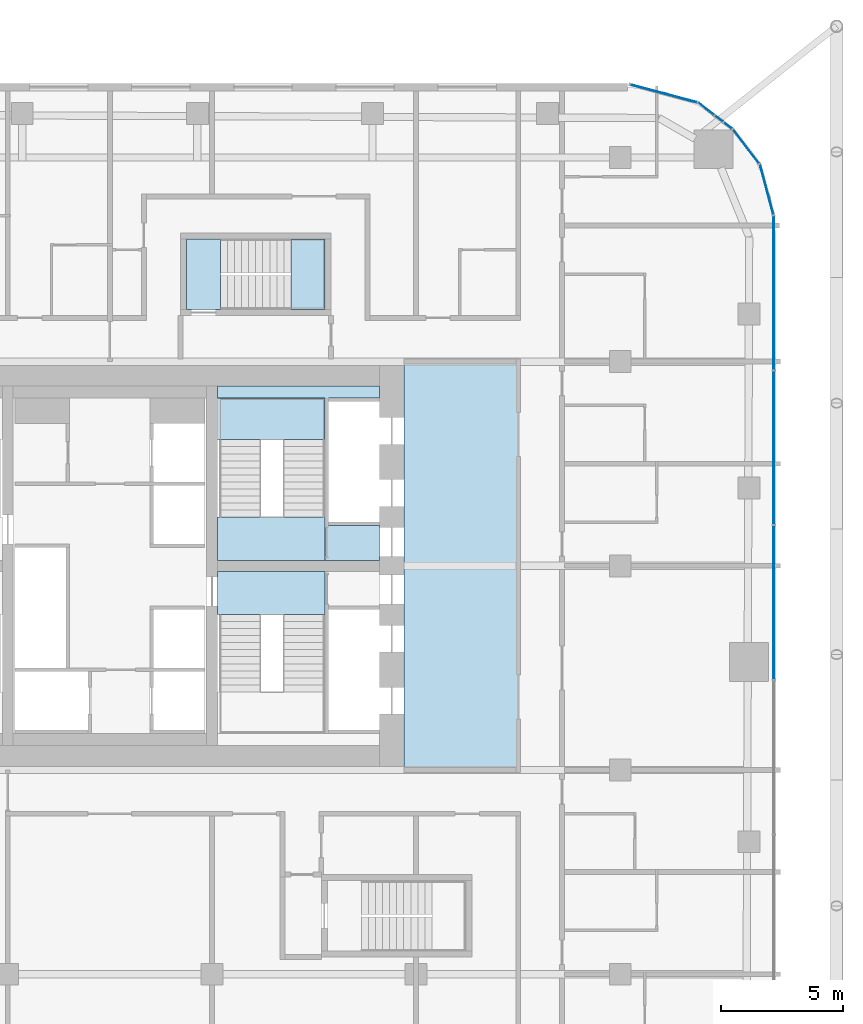
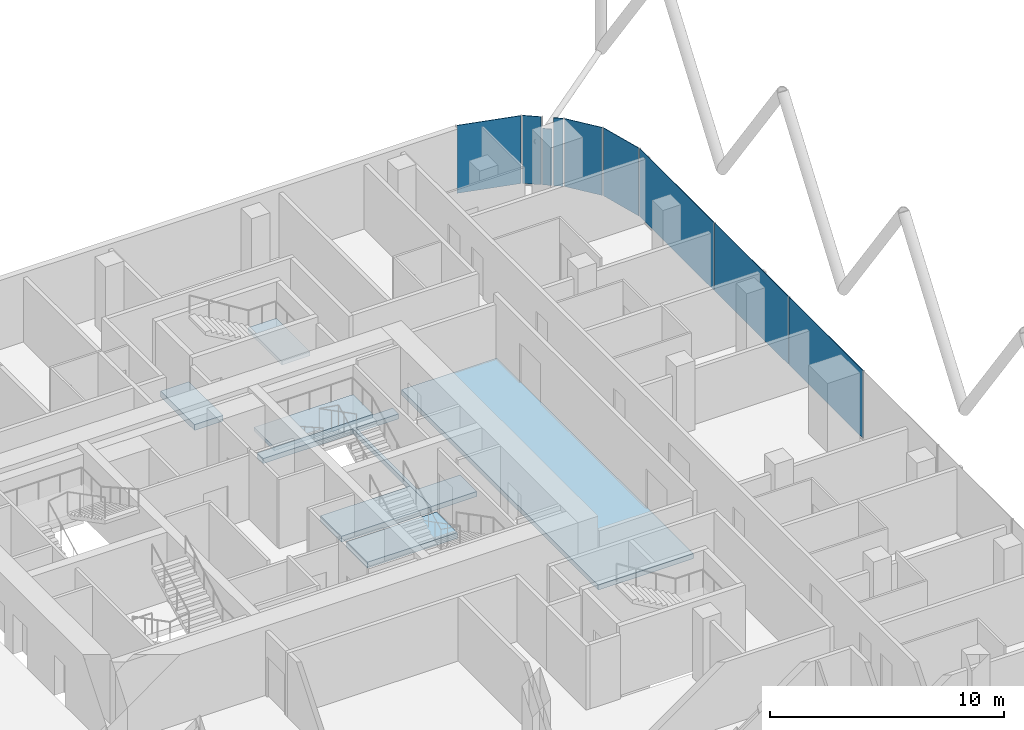
# One storey, part 23 of 33: 9 plates, 7 slabs, 9 elements without a shape of their own.
"""IFC4 building model written with IfcOpenShell, lengths in metres."""

from ifc_helpers import new_model, si_unit, direction, frame, origin, origin_2d, place, context, subcontext, project, spatial, polyline, rectangle, outline, extrude, material, layer, layer_set, type_object, element, aggregate, save


model = new_model("IFC4")

# Units and contexts
model_context = context("Model", 3, precision=1e-05, world=origin(), true_north=direction((0.0, 1.0)))
body_context = subcontext(model_context, "Body", "Model", "MODEL_VIEW")
ifc_project = project(units=[si_unit("LENGTHUNIT", "METRE"), si_unit("AREAUNIT", "SQUARE_METRE"), si_unit("VOLUMEUNIT", "CUBIC_METRE"), si_unit("PLANEANGLEUNIT", "RADIAN"), si_unit("MASSUNIT", "GRAM", prefix="KILO")], contexts=[model_context])

# Site, building, storey
site_placement = place(None, origin())
site = spatial("IfcSite", under=ifc_project, at=site_placement, CompositionType="ELEMENT")
building_placement = place(site_placement, origin())
building = spatial("IfcBuilding", under=site, at=building_placement, Name="Marenta Gate Hotel Tower", CompositionType="ELEMENT")
storey_placement = place(building_placement, frame((0.0, 0.0, 108.5)))
storey = spatial("IfcBuildingStorey", under=building, at=storey_placement, Name="L23", CompositionType="ELEMENT", Elevation=108.5)

# Slabs
ifc_material_1 = material(Name="Concrete C40", Category="concrete")
ifc_layer_1 = layer(ifc_material_1, 0.260009765625)
ifc_layer_set_1 = layer_set([ifc_layer_1], Name="Concrete C40")
slab_type_1 = type_object("IfcSlabType", Name="Core floor slab 260", PredefinedType="FLOOR", material=ifc_layer_set_1)
slab_1_placement = place(storey_placement, frame((0.0, 0.0, -0.260009765625)))
element("IfcSlab", 1, at=slab_1_placement, inside=storey, type_object=slab_type_1, Name="L23-CF-1", PredefinedType="FLOOR", context=body_context, shape_type="SweptSolid", body=[
    extrude(outline(polyline([(12.10009765625, 0.0), (12.10009765625, 16.800048828125), (16.800048828125, 16.800048828125), (16.800048828125, 0.0), (12.10009765625, 0.0)])), origin(), (0.0, 0.0, 1.0), 0.260009765625),
])
slab_2_placement = place(storey_placement, frame((0.0, 0.0, -0.260009765625)))
element("IfcSlab", 2, at=slab_2_placement, inside=storey, type_object=slab_type_1, Name="L23-CF-3", PredefinedType="FLOOR", context=body_context, shape_type="SweptSolid", body=[
    extrude(outline(polyline([(8.85009765625, 15.300048828125), (4.425048828125, 15.300048828125), (4.425048828125, 15.800048828125), (11.10009765625, 15.800048828125), (11.10009765625, 15.300048828125), (9.0, 15.300048828125), (9.0, 15.14990234375), (9.0, 12.75), (9.0, 12.60009765625), (9.0, 10.199951171875), (9.0, 10.050048828125), (11.10009765625, 10.050048828125), (11.10009765625, 8.625), (8.85009765625, 8.625), (8.85009765625, 8.699951171875), (8.85009765625, 10.39990234375), (8.85009765625, 15.300048828125)])), origin(), (0.0, 0.0, 1.0), 0.260009765625),
])

# Stair, slab
ifc_material_2 = material(Name="Concrete C40", Category="concrete")
stair_type_1 = type_object("IfcStairType", Name="Core exit stair 1700 wide", PredefinedType="HALF_TURN_STAIR", material=ifc_material_2)
stair_1_placement = place(storey_placement, origin())
stair_1 = element("IfcStair", 3, at=stair_1_placement, inside=storey, type_object=stair_type_1, Name="Exit stair 4", PredefinedType="HALF_TURN_STAIR")
ifc_material_3 = material(Name="Concrete C40", Category="concrete")
ifc_layer_2 = layer(ifc_material_3, 0.199951171875)
ifc_layer_set_2 = layer_set([ifc_layer_2], Name="Concrete C40")
slab_type_2 = type_object("IfcSlabType", Name="Core stair landing 200", PredefinedType="LANDING", material=ifc_layer_set_2)
slab_3_placement = place(storey_placement, frame((0.0, 0.0, 1.60009765625)))
slab_3 = element("IfcSlab", 4, at=slab_3_placement, type_object=slab_type_2, Name="SL-200 ST4 landing 1", PredefinedType="LANDING", context=body_context, shape_type="SweptSolid", body=[
    extrude(outline(polyline([(3.97509765625, 13.590087890625), (8.85009765625, 13.590087890625), (8.85009765625, 15.300048828125), (3.97509765625, 15.300048828125), (3.97509765625, 13.590087890625)])), origin(), (0.0, 0.0, 1.0), 0.199951171875),
])
aggregate(stair_1, [slab_3])

# Curtain wall, plates
ifc_material_4 = material(Name="Tinted insulated glass in bronze anodised frame", Category="glass")
ifc_layer_3 = layer(ifc_material_4, 0.1201171875)
ifc_layer_set_3 = layer_set([ifc_layer_3], Name="Tinted insulated glass in bronze anodised frame")
curtain_wall_type = type_object("IfcCurtainWallType", Name="Tower unitised curtain wall CW1", PredefinedType="NOTDEFINED", material=ifc_layer_set_3)
curtain_wall_1_placement = place(storey_placement, origin())
curtain_wall_1 = element("IfcCurtainWall", 5, at=curtain_wall_1_placement, inside=storey, type_object=curtain_wall_type, Name="CW1 run G19", PredefinedType="NOTDEFINED")
ifc_material_5 = material(Name="Tinted insulated glass", Category="glass")
ifc_layer_4 = layer(ifc_material_5, 0.028076171875)
ifc_layer_set_4 = layer_set([ifc_layer_4], Name="Tinted insulated glass")
plate_type = type_object("IfcPlateType", Name="Glass panel CW1 28 mm tinted insulated unit", PredefinedType="CURTAIN_PANEL", material=ifc_layer_set_4)
plate_1_placement = place(storey_placement, frame((27.31396484375, 6.891845703125, 0.06005859375), z_axis=(0.0, 0.0, 1.0), x_axis=(0.0, 1.0, 0.0)))
plate_1 = element("IfcPlate", 6, at=plate_1_placement, type_object=plate_type, Name="CW1 panel 4.1", PredefinedType="CURTAIN_PANEL", context=body_context, shape_type="SweptSolid", body=[
    extrude(rectangle(XDim=6.300048828125, YDim=0.028076171875, at=origin_2d()), origin(), (0.0, 0.0, 1.0), 3.5400390625),
])
plate_2_placement = place(storey_placement, frame((27.31396484375, 13.251953125, 0.06005859375), z_axis=(0.0, 0.0, 1.0), x_axis=(0.0, 1.0, 0.0)))
plate_2 = element("IfcPlate", 7, at=plate_2_placement, type_object=plate_type, Name="CW1 panel 5.1", PredefinedType="CURTAIN_PANEL", context=body_context, shape_type="SweptSolid", body=[
    extrude(rectangle(XDim=6.300048828125, YDim=0.028076171875, at=origin_2d()), origin(), (0.0, 0.0, 1.0), 3.5400390625),
])
plate_3_placement = place(storey_placement, frame((27.31396484375, 19.626953125, 0.06005859375), z_axis=(0.0, 0.0, 1.0), x_axis=(0.0, 1.0, 0.0)))
plate_3 = element("IfcPlate", 8, at=plate_3_placement, type_object=plate_type, Name="CW1 panel 6.1", PredefinedType="CURTAIN_PANEL", context=body_context, shape_type="SweptSolid", body=[
    extrude(rectangle(XDim=6.330078125, YDim=0.028076171875, at=origin_2d()), origin(), (0.0, 0.0, 1.0), 3.5400390625),
])
aggregate(curtain_wall_1, [plate_1, plate_2, plate_3])

# Curtain wall, plate
curtain_wall_2_placement = place(storey_placement, origin())
curtain_wall_2 = element("IfcCurtainWall", 9, at=curtain_wall_2_placement, inside=storey, type_object=curtain_wall_type, Name="CW1 run G20", PredefinedType="NOTDEFINED")
plate_4_placement = place(storey_placement, frame((27.022216796875, 23.880615234375, 0.06005859375), z_axis=(0.0, 0.0, 1.0), x_axis=(-0.258822651658, 0.965924859908, 0.0)))
plate_4 = element("IfcPlate", 10, at=plate_4_placement, type_object=plate_type, Name="CW1 panel 1.1", PredefinedType="CURTAIN_PANEL", context=body_context, shape_type="SweptSolid", body=[
    extrude(rectangle(XDim=2.13427734375, YDim=0.028076171875, at=origin_2d()), origin(), (0.0, 0.0, 1.0), 3.5400390625),
])
aggregate(curtain_wall_2, [plate_4])

curtain_wall_3_placement = place(storey_placement, origin())
curtain_wall_3 = element("IfcCurtainWall", 11, at=curtain_wall_3_placement, inside=storey, type_object=curtain_wall_type, Name="CW1 run G21", PredefinedType="NOTDEFINED")
plate_5_placement = place(storey_placement, frame((26.177490234375, 25.652099609375, 0.06005859375), z_axis=(0.0, 0.0, 1.0), x_axis=(-0.608796116694, 0.793326722289, 0.0)))
plate_5 = element("IfcPlate", 12, at=plate_5_placement, type_object=plate_type, Name="CW1 panel 1.1", PredefinedType="CURTAIN_PANEL", context=body_context, shape_type="SweptSolid", body=[
    extrude(rectangle(XDim=1.747802734375, YDim=0.028076171875, at=origin_2d()), origin(), (0.0, 0.0, 1.0), 3.5400390625),
])
aggregate(curtain_wall_3, [plate_5])

curtain_wall_4_placement = place(storey_placement, origin())
curtain_wall_4 = element("IfcCurtainWall", 13, at=curtain_wall_4_placement, inside=storey, type_object=curtain_wall_type, Name="CW1 run G22", PredefinedType="NOTDEFINED")
plate_6_placement = place(storey_placement, frame((25.4345703125, 26.50732421875, 0.06005859375), z_axis=(0.0, 0.0, 1.0), x_axis=(-0.793340265701, 0.608778467767, 0.0)))
plate_6 = element("IfcPlate", 14, at=plate_6_placement, type_object=plate_type, Name="CW1 panel 1.1", PredefinedType="CURTAIN_PANEL", context=body_context, shape_type="SweptSolid", body=[
    extrude(rectangle(XDim=0.411865234375, YDim=0.028076171875, at=origin_2d()), origin(), (0.0, 0.0, 1.0), 3.5400390625),
])
aggregate(curtain_wall_4, [plate_6])

curtain_wall_5_placement = place(storey_placement, origin())
curtain_wall_5 = element("IfcCurtainWall", 15, at=curtain_wall_5_placement, inside=storey, type_object=curtain_wall_type, Name="CW1 run G23", PredefinedType="NOTDEFINED")
plate_7_placement = place(storey_placement, frame((25.06201171875, 26.793212890625, 0.06005859375), z_axis=(0.0, 0.0, 1.0), x_axis=(-0.79337187392, 0.608737274752, 0.0)))
plate_7 = element("IfcPlate", 16, at=plate_7_placement, type_object=plate_type, Name="CW1 panel 1.1", PredefinedType="CURTAIN_PANEL", context=body_context, shape_type="SweptSolid", body=[
    extrude(rectangle(XDim=0.406982421875, YDim=0.028076171875, at=origin_2d()), origin(), (0.0, 0.0, 1.0), 2.9404296875),
])
aggregate(curtain_wall_5, [plate_7])

curtain_wall_6_placement = place(storey_placement, origin())
curtain_wall_6 = element("IfcCurtainWall", 17, at=curtain_wall_6_placement, inside=storey, type_object=curtain_wall_type, Name="CW1 run G24", PredefinedType="NOTDEFINED")
plate_8_placement = place(storey_placement, frame((24.5322265625, 27.19970703125, 0.06005859375), z_axis=(0.0, 0.0, 1.0), x_axis=(-0.793295108539, 0.608837310591, 0.0)))
plate_8 = element("IfcPlate", 18, at=plate_8_placement, type_object=plate_type, Name="CW1 panel 1.1", PredefinedType="CURTAIN_PANEL", context=body_context, shape_type="SweptSolid", body=[
    extrude(rectangle(XDim=0.80908203125, YDim=0.028076171875, at=origin_2d()), origin(), (0.0, 0.0, 1.0), 3.5400390625),
])
aggregate(curtain_wall_6, [plate_8])

curtain_wall_7_placement = place(storey_placement, origin())
curtain_wall_7 = element("IfcCurtainWall", 19, at=curtain_wall_7_placement, inside=storey, type_object=curtain_wall_type, Name="CW1 run G25", PredefinedType="NOTDEFINED")
plate_9_placement = place(storey_placement, frame((22.783935546875, 27.82861328125, 0.06005859375), z_axis=(0.0, 0.0, 1.0), x_axis=(-0.965929324305, 0.258805989975, 0.0)))
plate_9 = element("IfcPlate", 20, at=plate_9_placement, type_object=plate_type, Name="CW1 panel 1.1", PredefinedType="CURTAIN_PANEL", context=body_context, shape_type="SweptSolid", body=[
    extrude(rectangle(XDim=2.83544921875, YDim=0.028076171875, at=origin_2d()), origin(), (0.0, 0.0, 1.0), 3.5400390625),
])
aggregate(curtain_wall_7, [plate_9])

# Stair, slab
ifc_material_6 = material(Name="Concrete C40", Category="concrete")
stair_type_2 = type_object("IfcStairType", Name="Remote exit stair 1400 wide", PredefinedType="HALF_TURN_STAIR", material=ifc_material_6)
stair_2_placement = place(storey_placement, origin())
stair_2 = element("IfcStair", 21, at=stair_2_placement, inside=storey, type_object=stair_type_2, Name="Exit stair RS-Z2-4", PredefinedType="HALF_TURN_STAIR")
ifc_material_7 = material(Name="Concrete C40", Category="concrete")
ifc_layer_5 = layer(ifc_material_7, 0.199951171875)
ifc_layer_set_5 = layer_set([ifc_layer_5], Name="Concrete C40")
slab_type_3 = type_object("IfcSlabType", Name="Remote stair landing 200", PredefinedType="LANDING", material=ifc_layer_set_5)
slab_4_placement = place(storey_placement, frame((0.0, 0.0, 1.60009765625)))
slab_4 = element("IfcSlab", 22, at=slab_4_placement, type_object=slab_type_3, Name="RL-200 RS-Z2-4 landing 1", PredefinedType="LANDING", context=body_context, shape_type="SweptSolid", body=[
    extrude(outline(polyline([(7.449951171875, 18.949951171875), (8.85009765625, 18.949951171875), (8.85009765625, 21.85009765625), (7.449951171875, 21.85009765625), (7.449951171875, 18.949951171875)])), origin(), (0.0, 0.0, 1.0), 0.199951171875),
])
aggregate(stair_2, [slab_4])

# Slabs
ifc_material_8 = material(Name="Concrete C40", Category="concrete")
ifc_layer_6 = layer(ifc_material_8, 0.300048828125)
ifc_layer_set_6 = layer_set([ifc_layer_6], Name="Concrete C40")
slab_type_4 = type_object("IfcSlabType", Name="Stair floor landing slab 300", PredefinedType="FLOOR", material=ifc_layer_set_6)
slab_5_placement = place(storey_placement, frame((0.0, 0.0, -0.300048828125)))
element("IfcSlab", 23, at=slab_5_placement, inside=storey, type_object=slab_type_4, Name="L23-CL-ST3-1", PredefinedType="FLOOR", context=body_context, shape_type="SweptSolid", body=[
    extrude(outline(polyline([(4.425048828125, 6.39990234375), (4.425048828125, 8.175048828125), (8.85009765625, 8.175048828125), (8.85009765625, 8.10009765625), (8.85009765625, 6.39990234375), (4.425048828125, 6.39990234375)])), origin(), (0.0, 0.0, 1.0), 0.300048828125),
])
slab_6_placement = place(storey_placement, frame((0.0, 0.0, -0.300048828125)))
element("IfcSlab", 24, at=slab_6_placement, inside=storey, type_object=slab_type_4, Name="L23-CL-ST4-1", PredefinedType="FLOOR", context=body_context, shape_type="SweptSolid", body=[
    extrude(outline(polyline([(4.425048828125, 8.625), (4.425048828125, 10.39990234375), (8.85009765625, 10.39990234375), (8.85009765625, 8.699951171875), (8.85009765625, 8.625), (4.425048828125, 8.625)])), origin(), (0.0, 0.0, 1.0), 0.300048828125),
])
slab_7_placement = place(storey_placement, frame((0.0, 0.0, -0.300048828125)))
element("IfcSlab", 25, at=slab_7_placement, inside=storey, type_object=slab_type_4, Name="L23-RS-Z2-4-CL", PredefinedType="FLOOR", context=body_context, shape_type="SweptSolid", body=[
    extrude(outline(polyline([(4.550048828125, 18.949951171875), (4.550048828125, 21.85009765625), (3.14990234375, 21.85009765625), (3.14990234375, 18.949951171875), (4.550048828125, 18.949951171875)])), origin(), (0.0, 0.0, 1.0), 0.300048828125),
])

save(model, "model.ifc")
